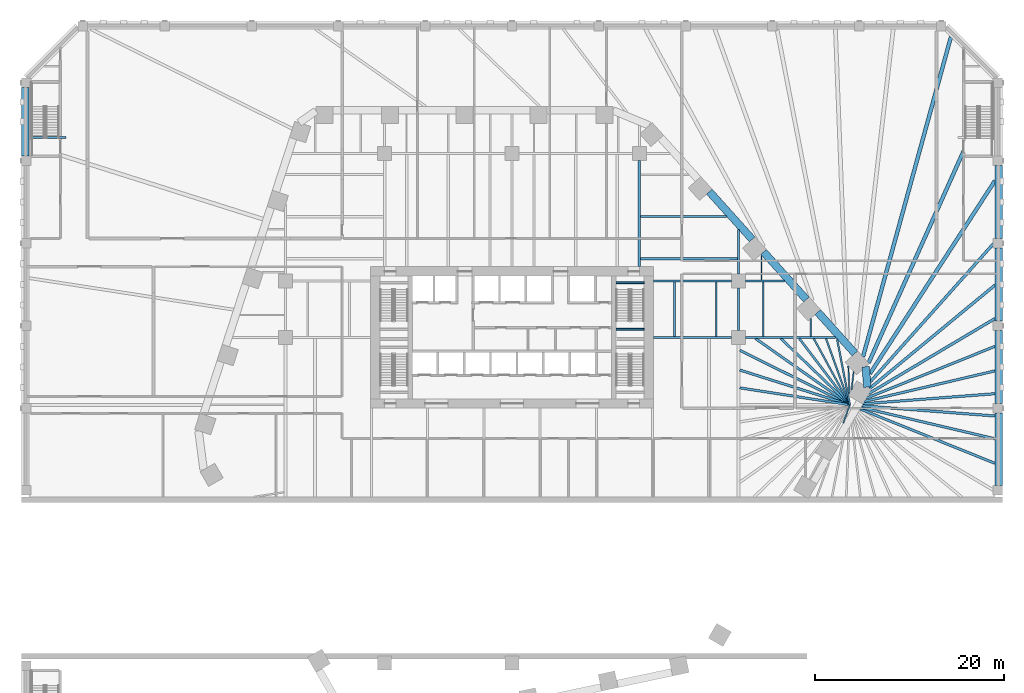
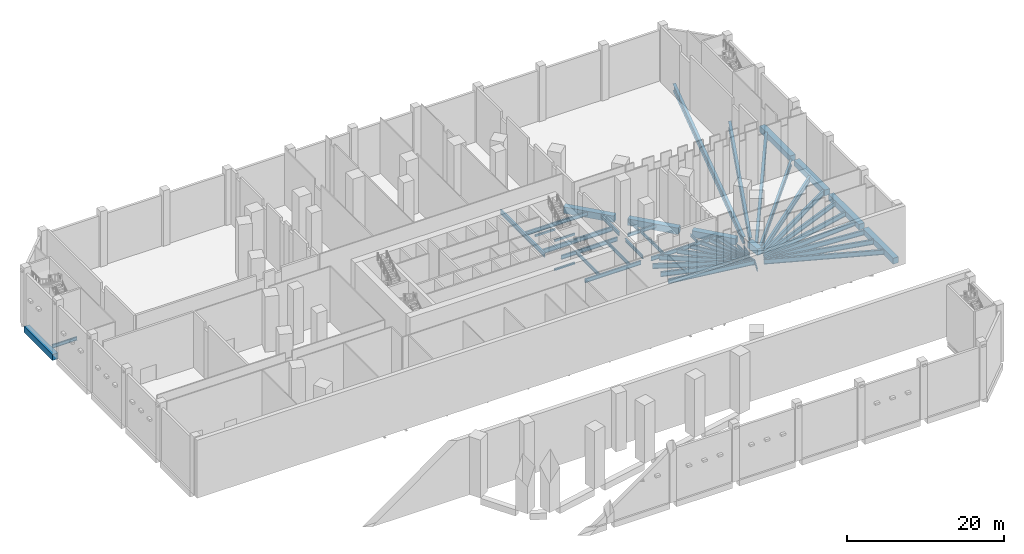
# One storey, part 3 of 23: 51 beams.
"""IFC4 building model written with IfcOpenShell, lengths in metres."""

from ifc_helpers import new_model, si_unit, direction, frame, origin, origin_2d, place, context, subcontext, project, spatial, rectangle, i_section, extrude, material, material_profile, profile_set, type_object, element, save


model = new_model("IFC4")

# Units and contexts
model_context = context("Model", 3, precision=1e-05, world=origin(), true_north=direction((0.0, 1.0)))
body_context = subcontext(model_context, "Body", "Model", "MODEL_VIEW")
ifc_project = project(units=[si_unit("LENGTHUNIT", "METRE"), si_unit("AREAUNIT", "SQUARE_METRE"), si_unit("VOLUMEUNIT", "CUBIC_METRE"), si_unit("PLANEANGLEUNIT", "RADIAN"), si_unit("MASSUNIT", "GRAM", prefix="KILO")], contexts=[model_context])

# Site, building, storey
site_placement = place(None, origin())
site = spatial("IfcSite", under=ifc_project, at=site_placement, CompositionType="ELEMENT")
building_placement = place(site_placement, origin())
building = spatial("IfcBuilding", under=site, at=building_placement, Name="Isthmus Gate Tower", CompositionType="ELEMENT")
storey_placement = place(building_placement, frame((0.0, 0.0, 9.0)))
storey = spatial("IfcBuildingStorey", under=building, at=storey_placement, Name="L01", CompositionType="ELEMENT", Elevation=9.0)

# Beams
ifc_material_1 = material(Name="Concrete f'c 70 MPa", Category="concrete")
ifc_material_profile_1 = material_profile(ifc_material_1, rectangle(XDim=0.800048828125, YDim=0.89990234375, at=origin_2d()), Name="RC 800X900")
ifc_profile_set_1 = profile_set([ifc_material_profile_1], Name="Concrete f'c 70 MPa")
beam_type_1 = type_object("IfcBeamType", Name="RC EDGE BEAM 800 X 900", PredefinedType="BEAM", material=ifc_profile_set_1)
beam_1_placement = place(storey_placement, frame((-51.60009765625, 26.75, -0.85009765625), z_axis=(0.0, 1.0, 0.0), x_axis=(-1.0, 0.0, 0.0)))
element("IfcBeam", 1, at=beam_1_placement, inside=storey, type_object=beam_type_1, Name="str-edgebeam-L01-07", PredefinedType="BEAM", context=body_context, shape_type="SweptSolid", body=[
    extrude(rectangle(XDim=0.800048828125, YDim=0.89990234375, at=origin_2d()), origin(), (0.0, 0.0, 1.0), 7.25),
])
for number, where, z_axis, x_axis, name in (
    (2, (51.60009765625, 25.75, -0.85009765625), (0.0, -1.0, 0.0), (1.0, 0.0, 0.0), "str-edgebeam-L01-21"),
    (3, (51.60009765625, 17.0, -0.85009765625), (0.0, -1.0, 0.0), (1.0, 0.0, 0.0), "str-edgebeam-L01-22"),
    (4, (51.60009765625, 8.25, -0.85009765625), (0.0, -1.0, 0.0), (1.0, 0.0, 0.0), "str-edgebeam-L01-23"),
):
    element("IfcBeam", number, at=place(storey_placement, frame(where, z_axis=z_axis, x_axis=x_axis)), inside=storey, type_object=beam_type_1, Name=name, PredefinedType="BEAM", context=body_context, shape_type="SweptSolid", body=[
        extrude(rectangle(XDim=0.800048828125, YDim=0.89990234375, at=origin_2d()), origin(), (0.0, 0.0, 1.0), 7.75),
    ])
beam_2_placement = place(storey_placement, frame((51.60009765625, -0.5, -0.85009765625), z_axis=(0.0, -1.0, 0.0), x_axis=(1.0, 0.0, 0.0)))
element("IfcBeam", 5, at=beam_2_placement, inside=storey, type_object=beam_type_1, Name="str-edgebeam-L01-24", PredefinedType="BEAM", context=body_context, shape_type="SweptSolid", body=[
    extrude(rectangle(XDim=0.800048828125, YDim=0.89990234375, at=origin_2d()), origin(), (0.0, 0.0, 1.0), 7.699951171875),
])
ifc_material_2 = material(Name="Concrete f'c 70 MPa", Category="concrete")
ifc_material_profile_2 = material_profile(ifc_material_2, rectangle(XDim=0.800048828125, YDim=1.0, at=origin_2d()), Name="RC 800X1000")
ifc_profile_set_2 = profile_set([ifc_material_profile_2], Name="Concrete f'c 70 MPa")
beam_type_2 = type_object("IfcBeamType", Name="RC TUBE RING BEAM 800 X 1000", PredefinedType="BEAM", material=ifc_profile_set_2)
beam_3_placement = place(storey_placement, frame((20.91748046875, 22.94921875, -0.89990234375), z_axis=(0.669135571547, -0.743140354772, 0.0), x_axis=(0.743140354772, 0.669135571547, 0.0)))
element("IfcBeam", 6, at=beam_3_placement, inside=storey, type_object=beam_type_2, Name="str-ringbeam-L01-02", PredefinedType="BEAM", context=body_context, shape_type="SweptSolid", body=[
    extrude(rectangle(XDim=0.800048828125, YDim=1.0, at=origin_2d()), origin(), (0.0, 0.0, 1.0), 6.789306640625),
])
beam_4_placement = place(storey_placement, frame((26.664794921875, 16.566162109375, -0.89990234375), z_axis=(0.669117690519, -0.743156454748, 0.0), x_axis=(0.743156454748, 0.669117690519, 0.0)))
element("IfcBeam", 7, at=beam_4_placement, inside=storey, type_object=beam_type_2, Name="str-ringbeam-L01-03", PredefinedType="BEAM", context=body_context, shape_type="SweptSolid", body=[
    extrude(rectangle(XDim=0.800048828125, YDim=1.0, at=origin_2d()), origin(), (0.0, 0.0, 1.0), 6.78955078125),
])
beam_5_placement = place(storey_placement, frame((32.412353515625, 10.182861328125, -0.89990234375), z_axis=(0.669138782017, -0.743137464001, 0.0), x_axis=(0.743137464001, 0.669138782017, 0.0)))
element("IfcBeam", 8, at=beam_5_placement, inside=storey, type_object=beam_type_2, Name="str-ringbeam-L01-04", PredefinedType="BEAM", context=body_context, shape_type="SweptSolid", body=[
    extrude(rectangle(XDim=0.800048828125, YDim=1.0, at=origin_2d()), origin(), (0.0, 0.0, 1.0), 5.88916015625),
])
beam_6_placement = place(storey_placement, frame((37.483154296875, 4.40185546875, -0.89990234375), z_axis=(0.089421511639, -0.995993872098, 0.0), x_axis=(0.995993872098, 0.089421511639, 0.0)))
element("IfcBeam", 9, at=beam_6_placement, inside=storey, type_object=beam_type_2, Name="str-ringbeam-L01-05", PredefinedType="BEAM", context=body_context, shape_type="SweptSolid", body=[
    extrude(rectangle(XDim=0.800048828125, YDim=1.0, at=origin_2d()), origin(), (0.0, 0.0, 1.0), 2.17333984375),
])
ifc_material_3 = material(Name="Concrete f'c 40 MPa", Category="concrete")
ifc_material_profile_3 = material_profile(ifc_material_3, rectangle(XDim=0.199951171875, YDim=0.300048828125, at=origin_2d()), Name="STAIR LANDING BEAM RC 200 X 300")
ifc_profile_set_3 = profile_set([ifc_material_profile_3], Name="Concrete f'c 40 MPa")
beam_type_3 = type_object("IfcBeamType", Name="STAIR LANDING BEAM RC 200 X 300", PredefinedType="BEAM", material=ifc_profile_set_3)
for number, where, z_axis, x_axis, name in (
    (10, (11.050048828125, 8.3701171875, 1.89990234375), (1.0, 0.0, 0.0), (0.0, 1.0, 0.0), "L01 ST2 landing beam 1"),
    (11, (11.050048828125, 13.300048828125, 4.14990234375), (1.0, 0.0, 0.0), (0.0, 1.0, 0.0), "L01 ST2 landing beam 2"),
    (12, (11.050048828125, 8.3701171875, 6.39990234375), (1.0, 0.0, 0.0), (0.0, 1.0, 0.0), "L01 ST2 landing beam 3"),
):
    element("IfcBeam", number, at=place(storey_placement, frame(where, z_axis=z_axis, x_axis=x_axis)), inside=storey, type_object=beam_type_3, Name=name, PredefinedType="BEAM", context=body_context, shape_type="SweptSolid", body=[
        extrude(rectangle(XDim=0.199951171875, YDim=0.300048828125, at=origin_2d()), origin(), (0.0, 0.0, 1.0), 2.949951171875),
    ])
ifc_material_4 = material(Name="Structural steel ASTM A992 Gr 50", Category="steel")
ifc_material_profile_4 = material_profile(ifc_material_4, i_section(OverallWidth=0.1396484375, OverallDepth=0.4033203125, WebThickness=0.00634765625, FlangeThickness=0.010986328125, at=origin_2d()), Name="W16X31")
ifc_profile_set_4 = profile_set([ifc_material_profile_4], Name="Structural steel ASTM A992 Gr 50")
beam_type_4 = type_object("IfcBeamType", Name="STEEL FLOOR BEAM W16X31", PredefinedType="JOIST", material=ifc_profile_set_4)
beam_7_placement = place(storey_placement, frame((35.99072265625, 1.9375, -0.6015625), z_axis=(0.114647939281, 0.993406185817, 0.0), x_axis=(-0.993406185817, 0.114647939281, 0.0)))
element("IfcBeam", 13, at=beam_7_placement, inside=storey, type_object=beam_type_4, Name="str-beam-L01-13-09", PredefinedType="JOIST", context=body_context, shape_type="SweptSolid", body=[
    extrude(i_section(OverallWidth=0.1396484375, OverallDepth=0.4033203125, WebThickness=0.00634765625, FlangeThickness=0.010986328125, at=origin_2d()), origin(), (0.0, 0.0, 1.0), 1.9443359375),
])
beam_8_placement = place(storey_placement, frame((35.7626953125, 1.54296875, -0.6015625), z_axis=(-0.038261740733, 0.999267751504, 0.0), x_axis=(-0.999267751504, -0.038261740733, 0.0)))
element("IfcBeam", 14, at=beam_8_placement, inside=storey, type_object=beam_type_4, Name="str-beam-L01-13-11", PredefinedType="JOIST", context=body_context, shape_type="SweptSolid", body=[
    extrude(i_section(OverallWidth=0.1396484375, OverallDepth=0.4033203125, WebThickness=0.00634765625, FlangeThickness=0.010986328125, at=origin_2d()), origin(), (0.0, 0.0, 1.0), 2.954345703125),
])
beam_9_placement = place(storey_placement, frame((35.80810546875, 0.357421875, -0.6015625), z_axis=(-0.337988055649, -0.941150399372, 0.0), x_axis=(0.941150399372, -0.337988055649, 0.0)))
element("IfcBeam", 15, at=beam_9_placement, inside=storey, type_object=beam_type_4, Name="str-beam-L01-13-44", PredefinedType="JOIST", context=body_context, shape_type="SweptSolid", body=[
    extrude(i_section(OverallWidth=0.1396484375, OverallDepth=0.4033203125, WebThickness=0.00634765625, FlangeThickness=0.010986328125, at=origin_2d()), origin(), (0.0, 0.0, 1.0), 2.06884765625),
])
beam_10_placement = place(storey_placement, frame((26.448974609375, 13.604736328125, -0.6015625), z_axis=(0.0, 1.0, 0.0), x_axis=(-1.0, 0.0, 0.0)))
element("IfcBeam", 16, at=beam_10_placement, inside=storey, type_object=beam_type_4, Name="str-beam-L01-20-00", PredefinedType="JOIST", context=body_context, shape_type="SweptSolid", body=[
    extrude(i_section(OverallWidth=0.1396484375, OverallDepth=0.4033203125, WebThickness=0.00634765625, FlangeThickness=0.010986328125, at=origin_2d()), origin(), (0.0, 0.0, 1.0), 2.603515625),
])
beam_11_placement = place(storey_placement, frame((31.666259765625, 7.6142578125, -0.6015625), z_axis=(0.0, 1.0, 0.0), x_axis=(-1.0, 0.0, 0.0)))
element("IfcBeam", 17, at=beam_11_placement, inside=storey, type_object=beam_type_4, Name="str-beam-L01-21-01", PredefinedType="JOIST", context=body_context, shape_type="SweptSolid", body=[
    extrude(i_section(OverallWidth=0.1396484375, OverallDepth=0.4033203125, WebThickness=0.00634765625, FlangeThickness=0.010986328125, at=origin_2d()), origin(), (0.0, 0.0, 1.0), 1.89697265625),
])
ifc_material_5 = material(Name="Structural steel ASTM A992 Gr 50", Category="steel")
ifc_material_profile_5 = material_profile(ifc_material_5, i_section(OverallWidth=0.1650390625, OverallDepth=0.52392578125, WebThickness=0.009521484375, FlangeThickness=0.010986328125, at=origin_2d()), Name="W21X44")
ifc_profile_set_5 = profile_set([ifc_material_profile_5], Name="Structural steel ASTM A992 Gr 50")
beam_type_5 = type_object("IfcBeamType", Name="STEEL FLOOR BEAM W21X44", PredefinedType="JOIST", material=ifc_profile_set_5)
for number, where, z_axis, x_axis, name in (
    (18, (17.223876953125, 7.6142578125, -0.661865234375), (0.0, 1.0, 0.0), (-1.0, 0.0, 0.0), "str-beam-L01-19-00"),
    (19, (21.67138671875, 7.6142578125, -0.661865234375), (0.0, 1.0, 0.0), (-1.0, 0.0, 0.0), "str-beam-L01-19-01"),
):
    element("IfcBeam", number, at=place(storey_placement, frame(where, z_axis=z_axis, x_axis=x_axis)), inside=storey, type_object=beam_type_5, Name=name, PredefinedType="JOIST", context=body_context, shape_type="SweptSolid", body=[
        extrude(i_section(OverallWidth=0.1650390625, OverallDepth=0.52392578125, WebThickness=0.009521484375, FlangeThickness=0.010986328125, at=origin_2d()), origin(), (0.0, 0.0, 1.0), 5.771484375),
    ])
beam_12_placement = place(storey_placement, frame((26.625244140625, 7.6142578125, -0.661865234375), z_axis=(0.0, 1.0, 0.0), x_axis=(-1.0, 0.0, 0.0)))
element("IfcBeam", 20, at=beam_12_placement, inside=storey, type_object=beam_type_5, Name="str-beam-L01-21-00", PredefinedType="JOIST", context=body_context, shape_type="SweptSolid", body=[
    extrude(i_section(OverallWidth=0.1650390625, OverallDepth=0.52392578125, WebThickness=0.009521484375, FlangeThickness=0.010986328125, at=origin_2d()), origin(), (0.0, 0.0, 1.0), 5.781005859375),
])
ifc_material_6 = material(Name="Structural steel ASTM A992 Gr 50", Category="steel")
ifc_material_profile_6 = material_profile(ifc_material_6, i_section(OverallWidth=0.177734375, OverallDepth=0.60009765625, WebThickness=0.009521484375, FlangeThickness=0.0126953125, at=origin_2d()), Name="W24X55")
ifc_profile_set_6 = profile_set([ifc_material_profile_6], Name="Structural steel ASTM A992 Gr 50")
beam_type_6 = type_object("IfcBeamType", Name="STEEL FLOOR BEAM W24X55", PredefinedType="JOIST", material=ifc_profile_set_6)
beam_13_placement = place(storey_placement, frame((35.80810546875, 0.357421875, -0.699951171875), z_axis=(-0.190392692599, 0.981708012907, 0.0), x_axis=(-0.981708012907, -0.190392692599, 0.0)))
element("IfcBeam", 21, at=beam_13_placement, inside=storey, type_object=beam_type_6, Name="str-beam-L01-13-13", PredefinedType="JOIST", context=body_context, shape_type="SweptSolid", body=[
    extrude(i_section(OverallWidth=0.177734375, OverallDepth=0.60009765625, WebThickness=0.009521484375, FlangeThickness=0.0126953125, at=origin_2d()), origin(), (0.0, 0.0, 1.0), 7.08349609375),
])
beam_14_placement = place(storey_placement, frame((35.80810546875, 0.357421875, -0.699951171875), z_axis=(-0.338005096106, 0.941144279591, 0.0), x_axis=(-0.941144279591, -0.338005096106, 0.0)))
element("IfcBeam", 22, at=beam_14_placement, inside=storey, type_object=beam_type_6, Name="str-beam-L01-13-15", PredefinedType="JOIST", context=body_context, shape_type="SweptSolid", body=[
    extrude(i_section(OverallWidth=0.177734375, OverallDepth=0.60009765625, WebThickness=0.009521484375, FlangeThickness=0.0126953125, at=origin_2d()), origin(), (0.0, 0.0, 1.0), 7.4677734375),
])
beam_15_placement = place(storey_placement, frame((35.80810546875, 0.357421875, -0.699951171875), z_axis=(-0.477709969799, 0.8785176064, 0.0), x_axis=(-0.8785176064, -0.477709969799, 0.0)))
element("IfcBeam", 23, at=beam_15_placement, inside=storey, type_object=beam_type_6, Name="str-beam-L01-13-17", PredefinedType="JOIST", context=body_context, shape_type="SweptSolid", body=[
    extrude(i_section(OverallWidth=0.177734375, OverallDepth=0.60009765625, WebThickness=0.009521484375, FlangeThickness=0.0126953125, at=origin_2d()), origin(), (0.0, 0.0, 1.0), 8.000244140625),
])
ifc_material_7 = material(Name="Structural steel ASTM A992 Gr 50", Category="steel")
ifc_material_profile_7 = material_profile(ifc_material_7, i_section(OverallWidth=0.228515625, OverallDepth=0.603271484375, WebThickness=0.010986328125, FlangeThickness=0.014404296875, at=origin_2d()), Name="W24X68")
ifc_profile_set_7 = profile_set([ifc_material_profile_7], Name="Structural steel ASTM A992 Gr 50")
beam_type_7 = type_object("IfcBeamType", Name="STEEL FLOOR BEAM W24X68", PredefinedType="JOIST", material=ifc_profile_set_7)
beam_16_placement = place(storey_placement, frame((35.80810546875, 0.357421875, -0.70166015625), z_axis=(-0.606205512544, 0.795308038788, 0.0), x_axis=(-0.795308038788, -0.606205512544, 0.0)))
element("IfcBeam", 24, at=beam_16_placement, inside=storey, type_object=beam_type_7, Name="str-beam-L01-13-19", PredefinedType="JOIST", context=body_context, shape_type="SweptSolid", body=[
    extrude(i_section(OverallWidth=0.228515625, OverallDepth=0.603271484375, WebThickness=0.010986328125, FlangeThickness=0.014404296875, at=origin_2d()), origin(), (0.0, 0.0, 1.0), 8.837158203125),
])
beam_17_placement = place(storey_placement, frame((13.626953125, 20.30712890625, -0.70166015625), z_axis=(1.0, 0.0, 0.0), x_axis=(0.0, 1.0, 0.0)))
element("IfcBeam", 25, at=beam_17_placement, inside=storey, type_object=beam_type_7, Name="str-beam-L01-18-01", PredefinedType="JOIST", context=body_context, shape_type="SweptSolid", body=[
    extrude(i_section(OverallWidth=0.228515625, OverallDepth=0.603271484375, WebThickness=0.010986328125, FlangeThickness=0.014404296875, at=origin_2d()), origin(), (0.0, 0.0, 1.0), 9.131103515625),
])
ifc_material_8 = material(Name="Structural steel ASTM A992 Gr 50", Category="steel")
ifc_material_profile_8 = material_profile(ifc_material_8, i_section(OverallWidth=0.25390625, OverallDepth=0.679443359375, WebThickness=0.010986328125, FlangeThickness=0.015869140625, at=origin_2d()), Name="W27X84")
ifc_profile_set_8 = profile_set([ifc_material_profile_8], Name="Structural steel ASTM A992 Gr 50")
beam_type_8 = type_object("IfcBeamType", Name="STEEL FLOOR BEAM W27X84", PredefinedType="JOIST", material=ifc_profile_set_8)
beam_18_placement = place(storey_placement, frame((35.80810546875, 0.357421875, -0.73974609375), z_axis=(-0.720514533544, 0.693439836577, 0.0), x_axis=(-0.693439836577, -0.720514533544, 0.0)))
element("IfcBeam", 26, at=beam_18_placement, inside=storey, type_object=beam_type_8, Name="str-beam-L01-13-21", PredefinedType="JOIST", context=body_context, shape_type="SweptSolid", body=[
    extrude(i_section(OverallWidth=0.25390625, OverallDepth=0.679443359375, WebThickness=0.010986328125, FlangeThickness=0.015869140625, at=origin_2d()), origin(), (0.0, 0.0, 1.0), 10.135498046875),
])
beam_19_placement = place(storey_placement, frame((35.80810546875, 0.357421875, -0.73974609375), z_axis=(-0.988281112388, 0.152644825976, 0.0), x_axis=(-0.152644825976, -0.988281112388, 0.0)))
element("IfcBeam", 27, at=beam_19_placement, inside=storey, type_object=beam_type_8, Name="str-beam-L01-13-29", PredefinedType="JOIST", context=body_context, shape_type="SweptSolid", body=[
    extrude(i_section(OverallWidth=0.25390625, OverallDepth=0.679443359375, WebThickness=0.010986328125, FlangeThickness=0.015869140625, at=origin_2d()), origin(), (0.0, 0.0, 1.0), 11.80029296875),
])
beam_20_placement = place(storey_placement, frame((13.626953125, 15.84521484375, -0.73974609375), z_axis=(1.0, 0.0, 0.0), x_axis=(0.0, 1.0, 0.0)))
element("IfcBeam", 28, at=beam_20_placement, inside=storey, type_object=beam_type_8, Name="str-beam-L01-18-00", PredefinedType="JOIST", context=body_context, shape_type="SweptSolid", body=[
    extrude(i_section(OverallWidth=0.25390625, OverallDepth=0.679443359375, WebThickness=0.010986328125, FlangeThickness=0.015869140625, at=origin_2d()), origin(), (0.0, 0.0, 1.0), 10.268310546875),
])
ifc_material_9 = material(Name="Structural steel ASTM A992 Gr 50", Category="steel")
ifc_material_profile_9 = material_profile(ifc_material_9, i_section(OverallWidth=0.2666015625, OverallDepth=0.7587890625, WebThickness=0.014404296875, FlangeThickness=0.01904296875, at=origin_2d()), Name="W30X108")
ifc_profile_set_9 = profile_set([ifc_material_profile_9], Name="Structural steel ASTM A992 Gr 50")
beam_type_9 = type_object("IfcBeamType", Name="STEEL FLOOR BEAM W30X108", PredefinedType="JOIST", material=ifc_profile_set_9)
beam_21_placement = place(storey_placement, frame((37.21923828125, 0.4658203125, -0.779296875), z_axis=(0.997066456504, 0.076540716717, 0.0), x_axis=(-0.076540716717, 0.997066456504, 0.0)))
element("IfcBeam", 29, at=beam_21_placement, inside=storey, type_object=beam_type_9, Name="str-beam-L01-13-00", PredefinedType="JOIST", context=body_context, shape_type="SweptSolid", body=[
    extrude(i_section(OverallWidth=0.2666015625, OverallDepth=0.7587890625, WebThickness=0.014404296875, FlangeThickness=0.01904296875, at=origin_2d()), origin(), (0.0, 0.0, 1.0), 14.021728515625),
])
beam_22_placement = place(storey_placement, frame((37.367431640625, 0.722412109375, -0.779296875), z_axis=(0.973697264959, 0.227845641195, 0.0), x_axis=(-0.227845641195, 0.973697264959, 0.0)))
element("IfcBeam", 30, at=beam_22_placement, inside=storey, type_object=beam_type_9, Name="str-beam-L01-13-01", PredefinedType="JOIST", context=body_context, shape_type="SweptSolid", body=[
    extrude(i_section(OverallWidth=0.2666015625, OverallDepth=0.7587890625, WebThickness=0.014404296875, FlangeThickness=0.01904296875, at=origin_2d()), origin(), (0.0, 0.0, 1.0), 14.206298828125),
])
beam_23_placement = place(storey_placement, frame((37.565673828125, 1.06591796875, -0.779296875), z_axis=(0.927507979813, 0.373803353895, 0.0), x_axis=(-0.373803353895, 0.927507979813, 0.0)))
element("IfcBeam", 31, at=beam_23_placement, inside=storey, type_object=beam_type_9, Name="str-beam-L01-13-02", PredefinedType="JOIST", context=body_context, shape_type="SweptSolid", body=[
    extrude(i_section(OverallWidth=0.2666015625, OverallDepth=0.7587890625, WebThickness=0.014404296875, FlangeThickness=0.01904296875, at=origin_2d()), origin(), (0.0, 0.0, 1.0), 14.699951171875),
])
beam_24_placement = place(storey_placement, frame((36.90234375, -0.08349609375, -0.779296875), z_axis=(0.927502503349, -0.373816942208, 0.0), x_axis=(0.373816942208, 0.927502503349, 0.0)))
element("IfcBeam", 32, at=beam_24_placement, inside=storey, type_object=beam_type_9, Name="str-beam-L01-13-55", PredefinedType="JOIST", context=body_context, shape_type="SweptSolid", body=[
    extrude(i_section(OverallWidth=0.2666015625, OverallDepth=0.7587890625, WebThickness=0.014404296875, FlangeThickness=0.01904296875, at=origin_2d()), origin(), (0.0, 0.0, 1.0), 15.415283203125),
])
beam_25_placement = place(storey_placement, frame((36.996337890625, 0.079345703125, -0.779296875), z_axis=(0.973696079563, -0.22785070692, 0.0), x_axis=(0.22785070692, 0.973696079563, 0.0)))
element("IfcBeam", 33, at=beam_25_placement, inside=storey, type_object=beam_type_9, Name="str-beam-L01-13-56", PredefinedType="JOIST", context=body_context, shape_type="SweptSolid", body=[
    extrude(i_section(OverallWidth=0.2666015625, OverallDepth=0.7587890625, WebThickness=0.014404296875, FlangeThickness=0.01904296875, at=origin_2d()), origin(), (0.0, 0.0, 1.0), 14.58740234375),
])
beam_26_placement = place(storey_placement, frame((37.099609375, 0.25830078125, -0.779296875), z_axis=(0.997065949635, -0.076547319205, 0.0), x_axis=(0.076547319205, 0.997065949635, 0.0)))
element("IfcBeam", 34, at=beam_26_placement, inside=storey, type_object=beam_type_9, Name="str-beam-L01-13-57", PredefinedType="JOIST", context=body_context, shape_type="SweptSolid", body=[
    extrude(i_section(OverallWidth=0.2666015625, OverallDepth=0.7587890625, WebThickness=0.014404296875, FlangeThickness=0.01904296875, at=origin_2d()), origin(), (0.0, 0.0, 1.0), 14.141845703125),
])
ifc_material_10 = material(Name="Structural steel ASTM A992 Gr 50", Category="steel")
ifc_material_profile_10 = material_profile(ifc_material_10, i_section(OverallWidth=0.263427734375, OverallDepth=0.749267578125, WebThickness=0.0126953125, FlangeThickness=0.015869140625, at=origin_2d()), Name="W30X90")
ifc_profile_set_10 = profile_set([ifc_material_profile_10], Name="Structural steel ASTM A992 Gr 50")
beam_type_10 = type_object("IfcBeamType", Name="STEEL FLOOR BEAM W30X90", PredefinedType="JOIST", material=ifc_profile_set_10)
beam_27_placement = place(storey_placement, frame((35.80810546875, 0.357421875, -0.774658203125), z_axis=(-0.817923800079, 0.575326565756, 0.0), x_axis=(-0.575326565756, -0.817923800079, 0.0)))
element("IfcBeam", 35, at=beam_27_placement, inside=storey, type_object=beam_type_10, Name="str-beam-L01-13-23", PredefinedType="JOIST", context=body_context, shape_type="SweptSolid", body=[
    extrude(i_section(OverallWidth=0.263427734375, OverallDepth=0.749267578125, WebThickness=0.0126953125, FlangeThickness=0.015869140625, at=origin_2d()), origin(), (0.0, 0.0, 1.0), 12.21630859375),
])
beam_28_placement = place(storey_placement, frame((35.80810546875, 0.357421875, -0.774658203125), z_axis=(-0.896161406843, 0.443728219617, 0.0), x_axis=(-0.443728219617, -0.896161406843, 0.0)))
element("IfcBeam", 36, at=beam_28_placement, inside=storey, type_object=beam_type_10, Name="str-beam-L01-13-25", PredefinedType="JOIST", context=body_context, shape_type="SweptSolid", body=[
    extrude(i_section(OverallWidth=0.263427734375, OverallDepth=0.749267578125, WebThickness=0.0126953125, FlangeThickness=0.015869140625, at=origin_2d()), origin(), (0.0, 0.0, 1.0), 13.013427734375),
])
beam_29_placement = place(storey_placement, frame((35.80810546875, 0.357421875, -0.774658203125), z_axis=(-0.953396971943, 0.301718766221, 0.0), x_axis=(-0.301718766221, -0.953396971943, 0.0)))
element("IfcBeam", 37, at=beam_29_placement, inside=storey, type_object=beam_type_10, Name="str-beam-L01-13-27", PredefinedType="JOIST", context=body_context, shape_type="SweptSolid", body=[
    extrude(i_section(OverallWidth=0.263427734375, OverallDepth=0.749267578125, WebThickness=0.0126953125, FlangeThickness=0.015869140625, at=origin_2d()), origin(), (0.0, 0.0, 1.0), 12.232177734375),
])
ifc_material_11 = material(Name="Structural steel ASTM A992 Gr 50", Category="steel")
ifc_material_profile_11 = material_profile(ifc_material_11, i_section(OverallWidth=0.2919921875, OverallDepth=0.8349609375, WebThickness=0.014404296875, FlangeThickness=0.01904296875, at=origin_2d()), Name="W33X118")
ifc_profile_set_11 = profile_set([ifc_material_profile_11], Name="Structural steel ASTM A992 Gr 50")
beam_type_11 = type_object("IfcBeamType", Name="STEEL FLOOR BEAM W33X118", PredefinedType="JOIST", material=ifc_profile_set_11)
beam_30_placement = place(storey_placement, frame((37.861572265625, 1.578125, -0.8173828125), z_axis=(0.85956409258, 0.511027954956, 0.0), x_axis=(-0.511027954956, 0.85956409258, 0.0)))
element("IfcBeam", 38, at=beam_30_placement, inside=storey, type_object=beam_type_11, Name="str-beam-L01-13-03", PredefinedType="JOIST", context=body_context, shape_type="SweptSolid", body=[
    extrude(i_section(OverallWidth=0.2919921875, OverallDepth=0.8349609375, WebThickness=0.014404296875, FlangeThickness=0.01904296875, at=origin_2d()), origin(), (0.0, 0.0, 1.0), 15.517578125),
])
ifc_material_12 = material(Name="Structural steel ASTM A992 Gr 50", Category="steel")
ifc_material_profile_12 = material_profile(ifc_material_12, i_section(OverallWidth=0.3046875, OverallDepth=0.901611328125, WebThickness=0.015869140625, FlangeThickness=0.0205078125, at=origin_2d()), Name="W36X135")
ifc_profile_set_12 = profile_set([ifc_material_profile_12], Name="Structural steel ASTM A992 Gr 50")
beam_type_12 = type_object("IfcBeamType", Name="STEEL FLOOR BEAM W36X135", PredefinedType="JOIST", material=ifc_profile_set_12)
beam_31_placement = place(storey_placement, frame((37.918701171875, 2.097900390625, -0.850830078125), z_axis=(0.771484652954, 0.636247931436, 0.0), x_axis=(-0.636247931436, 0.771484652954, 0.0)))
element("IfcBeam", 39, at=beam_31_placement, inside=storey, type_object=beam_type_12, Name="str-beam-L01-13-04", PredefinedType="JOIST", context=body_context, shape_type="SweptSolid", body=[
    extrude(i_section(OverallWidth=0.3046875, OverallDepth=0.901611328125, WebThickness=0.015869140625, FlangeThickness=0.0205078125, at=origin_2d()), origin(), (0.0, 0.0, 1.0), 17.215087890625),
])
ifc_material_13 = material(Name="Structural steel ASTM A992 Gr 50", Category="steel")
ifc_material_profile_13 = material_profile(ifc_material_13, i_section(OverallWidth=0.3046875, OverallDepth=0.914306640625, WebThickness=0.015869140625, FlangeThickness=0.025390625, at=origin_2d()), Name="W36X160")
ifc_profile_set_13 = profile_set([ifc_material_profile_13], Name="Structural steel ASTM A992 Gr 50")
beam_type_13 = type_object("IfcBeamType", Name="STEEL FLOOR BEAM W36X160", PredefinedType="JOIST", material=ifc_profile_set_13)
beam_32_placement = place(storey_placement, frame((38.0244140625, 2.84423828125, -0.857177734375), z_axis=(0.665323661342, 0.746555038599, 0.0), x_axis=(-0.746555038599, 0.665323661342, 0.0)))
element("IfcBeam", 40, at=beam_32_placement, inside=storey, type_object=beam_type_13, Name="str-beam-L01-13-05", PredefinedType="JOIST", context=body_context, shape_type="SweptSolid", body=[
    extrude(i_section(OverallWidth=0.3046875, OverallDepth=0.914306640625, WebThickness=0.015869140625, FlangeThickness=0.025390625, at=origin_2d()), origin(), (0.0, 0.0, 1.0), 19.502685546875),
])
ifc_material_14 = material(Name="Structural steel ASTM A992 Gr 50", Category="steel")
ifc_material_profile_14 = material_profile(ifc_material_14, i_section(OverallWidth=0.39990234375, OverallDepth=1.089111328125, WebThickness=0.017578125, FlangeThickness=0.03173828125, at=origin_2d()), Name="W44X230")
ifc_profile_set_14 = profile_set([ifc_material_profile_14], Name="Structural steel ASTM A992 Gr 50")
beam_type_14 = type_object("IfcBeamType", Name="STEEL FLOOR BEAM W44X230", PredefinedType="JOIST", material=ifc_profile_set_14)
beam_33_placement = place(storey_placement, frame((37.95068359375, 3.666015625, -0.944580078125), z_axis=(0.543572271706, 0.839362368368, 0.0), x_axis=(-0.839362368368, 0.543572271706, 0.0)))
element("IfcBeam", 41, at=beam_33_placement, inside=storey, type_object=beam_type_14, Name="str-beam-L01-13-06", PredefinedType="JOIST", context=body_context, shape_type="SweptSolid", body=[
    extrude(i_section(OverallWidth=0.39990234375, OverallDepth=1.089111328125, WebThickness=0.017578125, FlangeThickness=0.03173828125, at=origin_2d()), origin(), (0.0, 0.0, 1.0), 24.37451171875),
])
beam_34_placement = place(storey_placement, frame((37.799072265625, 4.798095703125, -0.944580078125), z_axis=(0.409063692622, 0.912505833065, 0.0), x_axis=(-0.912505833065, 0.409063692622, 0.0)))
element("IfcBeam", 42, at=beam_34_placement, inside=storey, type_object=beam_type_14, Name="str-beam-L01-13-07", PredefinedType="JOIST", context=body_context, shape_type="SweptSolid", body=[
    extrude(i_section(OverallWidth=0.39990234375, OverallDepth=1.089111328125, WebThickness=0.017578125, FlangeThickness=0.03173828125, at=origin_2d()), origin(), (0.0, 0.0, 1.0), 26.10107421875),
])
beam_35_placement = place(storey_placement, frame((37.208740234375, 5.453857421875, -0.944580078125), z_axis=(0.264980025493, 0.964253901257, 0.0), x_axis=(-0.964253901257, 0.264980025493, 0.0)))
element("IfcBeam", 43, at=beam_35_placement, inside=storey, type_object=beam_type_14, Name="str-beam-L01-13-08", PredefinedType="JOIST", context=body_context, shape_type="SweptSolid", body=[
    extrude(i_section(OverallWidth=0.39990234375, OverallDepth=1.089111328125, WebThickness=0.017578125, FlangeThickness=0.03173828125, at=origin_2d()), origin(), (0.0, 0.0, 1.0), 35.148681640625),
])
ifc_material_15 = material(Name="Structural steel ASTM A992 Gr 50", Category="steel")
ifc_material_profile_15 = material_profile(ifc_material_15, i_section(OverallWidth=0.20947265625, OverallDepth=0.533447265625, WebThickness=0.009521484375, FlangeThickness=0.015869140625, at=origin_2d()), Name="W21X62")
ifc_profile_set_15 = profile_set([ifc_material_profile_15], Name="Structural steel ASTM A992 Gr 50")
beam_type_15 = type_object("IfcBeamType", Name="STEEL GIRDER W21X62", PredefinedType="BEAM", material=ifc_profile_set_15)
beam_36_placement = place(storey_placement, frame((24.75, 13.5, -0.666748046875), z_axis=(1.0, 0.0, 0.0), x_axis=(0.0, 1.0, 0.0)))
element("IfcBeam", 44, at=beam_36_placement, inside=storey, type_object=beam_type_15, Name="str-girder-L01-07", PredefinedType="BEAM", context=body_context, shape_type="SweptSolid", body=[
    extrude(i_section(OverallWidth=0.20947265625, OverallDepth=0.533447265625, WebThickness=0.009521484375, FlangeThickness=0.015869140625, at=origin_2d()), origin(), (0.0, 0.0, 1.0), 4.13720703125),
])
beam_37_placement = place(storey_placement, frame((24.0, 8.25, -0.666748046875), z_axis=(0.0, 1.0, 0.0), x_axis=(-1.0, 0.0, 0.0)))
element("IfcBeam", 45, at=beam_37_placement, inside=storey, type_object=beam_type_15, Name="str-girder-L01-22", PredefinedType="BEAM", context=body_context, shape_type="SweptSolid", body=[
    extrude(i_section(OverallWidth=0.20947265625, OverallDepth=0.533447265625, WebThickness=0.009521484375, FlangeThickness=0.015869140625, at=origin_2d()), origin(), (0.0, 0.0, 1.0), 4.5),
])
beam_38_placement = place(storey_placement, frame((24.0, 14.25, -0.666748046875), z_axis=(0.0, 1.0, 0.0), x_axis=(-1.0, 0.0, 0.0)))
element("IfcBeam", 46, at=beam_38_placement, inside=storey, type_object=beam_type_15, Name="str-girder-L01-23", PredefinedType="BEAM", context=body_context, shape_type="SweptSolid", body=[
    extrude(i_section(OverallWidth=0.20947265625, OverallDepth=0.533447265625, WebThickness=0.009521484375, FlangeThickness=0.015869140625, at=origin_2d()), origin(), (0.0, 0.0, 1.0), 4.677978515625),
])
ifc_material_16 = material(Name="Structural steel ASTM A992 Gr 50", Category="steel")
ifc_material_profile_16 = material_profile(ifc_material_16, i_section(OverallWidth=0.228515625, OverallDepth=0.6064453125, WebThickness=0.010986328125, FlangeThickness=0.017578125, at=origin_2d()), Name="W24X76")
ifc_profile_set_16 = profile_set([ifc_material_profile_16], Name="Structural steel ASTM A992 Gr 50")
beam_type_16 = type_object("IfcBeamType", Name="STEEL GIRDER W24X76", PredefinedType="BEAM", material=ifc_profile_set_16)
beam_39_placement = place(storey_placement, frame((15.0, 7.5, -0.703125), z_axis=(1.0, 0.0, 0.0), x_axis=(0.0, 1.0, 0.0)))
element("IfcBeam", 47, at=beam_39_placement, inside=storey, type_object=beam_type_16, Name="str-girder-L01-03", PredefinedType="BEAM", context=body_context, shape_type="SweptSolid", body=[
    extrude(i_section(OverallWidth=0.228515625, OverallDepth=0.6064453125, WebThickness=0.010986328125, FlangeThickness=0.017578125, at=origin_2d()), origin(), (0.0, 0.0, 1.0), 8.25),
])
beam_40_placement = place(storey_placement, frame((24.75, 7.5, -0.703125), z_axis=(1.0, 0.0, 0.0), x_axis=(0.0, 1.0, 0.0)))
element("IfcBeam", 48, at=beam_40_placement, inside=storey, type_object=beam_type_16, Name="str-girder-L01-04", PredefinedType="BEAM", context=body_context, shape_type="SweptSolid", body=[
    extrude(i_section(OverallWidth=0.228515625, OverallDepth=0.6064453125, WebThickness=0.010986328125, FlangeThickness=0.017578125, at=origin_2d()), origin(), (0.0, 0.0, 1.0), 9.539794921875),
])
beam_41_placement = place(storey_placement, frame((15.0, 13.5, -0.703125), z_axis=(1.0, 0.0, 0.0), x_axis=(0.0, 1.0, 0.0)))
element("IfcBeam", 49, at=beam_41_placement, inside=storey, type_object=beam_type_16, Name="str-girder-L01-06", PredefinedType="BEAM", context=body_context, shape_type="SweptSolid", body=[
    extrude(i_section(OverallWidth=0.228515625, OverallDepth=0.6064453125, WebThickness=0.010986328125, FlangeThickness=0.017578125, at=origin_2d()), origin(), (0.0, 0.0, 1.0), 8.25),
])
ifc_material_17 = material(Name="Structural steel ASTM A992 Gr 50", Category="steel")
ifc_material_profile_17 = material_profile(ifc_material_17, i_section(OverallWidth=0.25390625, OverallDepth=0.679443359375, WebThickness=0.010986328125, FlangeThickness=0.015869140625, at=origin_2d()), Name="W27X84")
ifc_profile_set_17 = profile_set([ifc_material_profile_17], Name="Structural steel ASTM A992 Gr 50")
beam_type_17 = type_object("IfcBeamType", Name="STEEL GIRDER W27X84", PredefinedType="BEAM", material=ifc_profile_set_17)
beam_42_placement = place(storey_placement, frame((13.5, 15.0, -0.73974609375), z_axis=(0.0, 1.0, 0.0), x_axis=(-1.0, 0.0, 0.0)))
element("IfcBeam", 50, at=beam_42_placement, inside=storey, type_object=beam_type_17, Name="str-girder-L01-19", PredefinedType="BEAM", context=body_context, shape_type="SweptSolid", body=[
    extrude(i_section(OverallWidth=0.25390625, OverallDepth=0.679443359375, WebThickness=0.010986328125, FlangeThickness=0.015869140625, at=origin_2d()), origin(), (0.0, 0.0, 1.0), 11.25),
])
ifc_material_18 = material(Name="Structural steel ASTM A992 Gr 50", Category="steel")
ifc_material_profile_18 = material_profile(ifc_material_18, i_section(OverallWidth=0.20947265625, OverallDepth=0.533447265625, WebThickness=0.009521484375, FlangeThickness=0.015869140625, at=origin_2d()), Name="W21X62")
ifc_profile_set_18 = profile_set([ifc_material_profile_18], Name="Structural steel ASTM A992 Gr 50")
beam_type_18 = type_object("IfcBeamType", Name="STEEL TRIMMER W21X62", PredefinedType="BEAM", material=ifc_profile_set_18)
beam_43_placement = place(storey_placement, frame((-50.949951171875, 28.72021484375, -0.666748046875), z_axis=(1.0, 0.0, 0.0), x_axis=(0.0, 1.0, 0.0)))
element("IfcBeam", 51, at=beam_43_placement, inside=storey, type_object=beam_type_18, Name="str-trimmer-L01-16", PredefinedType="BEAM", context=body_context, shape_type="SweptSolid", body=[
    extrude(i_section(OverallWidth=0.20947265625, OverallDepth=0.533447265625, WebThickness=0.009521484375, FlangeThickness=0.015869140625, at=origin_2d()), origin(), (0.0, 0.0, 1.0), 3.64990234375),
])

save(model, "model.ifc")
